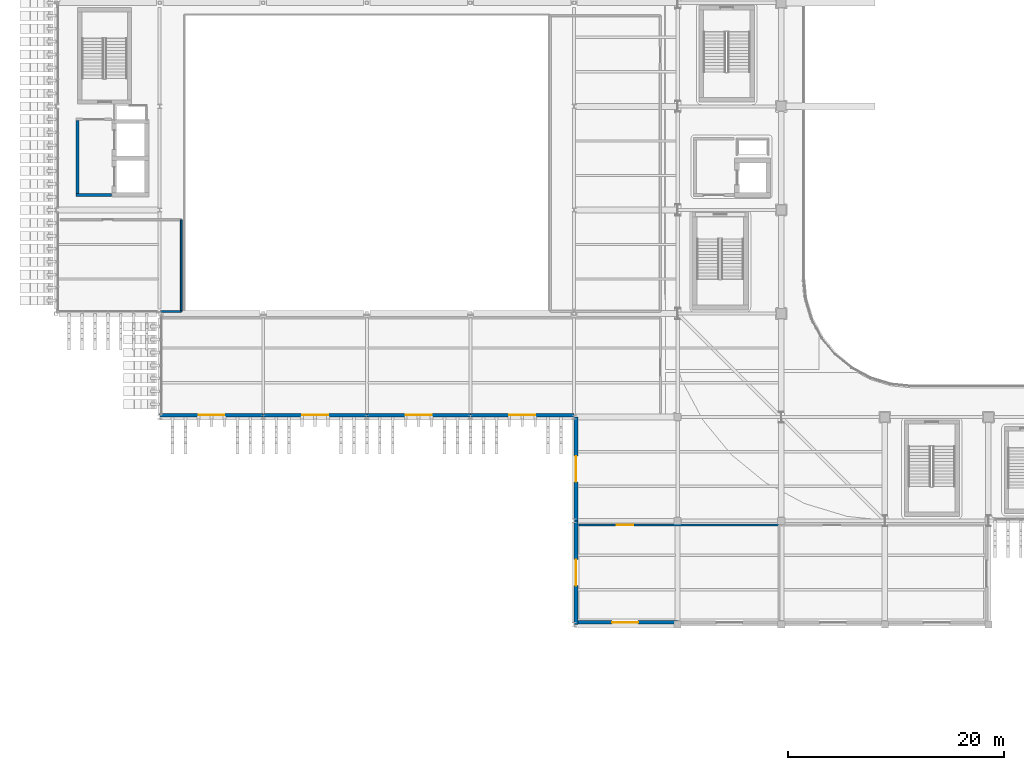
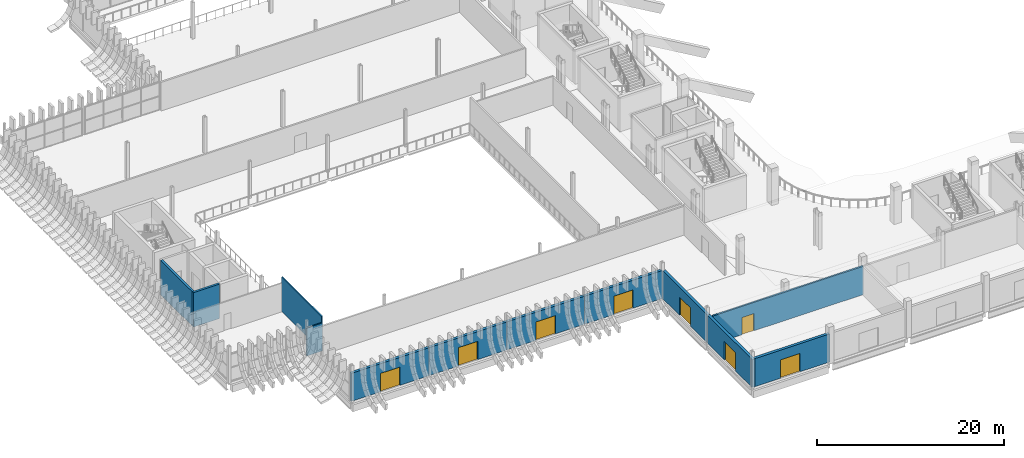
# One storey, part 48 of 100: 12 walls, 8 doors, 8 openings.
"""IFC4 building model written with IfcOpenShell, lengths in metres."""

from ifc_helpers import new_model, si_unit, direction, frame, frame_2d, origin, place, context, subcontext, project, spatial, rectangle, extrude, material, layer, layer_set, type_object, element, fill, save


model = new_model("IFC4")

# Units and contexts
model_context = context("Model", 3, precision=1e-05, world=origin(), true_north=direction((0.0, 1.0)))
body_context = subcontext(model_context, "Body", "Model", "MODEL_VIEW")
ifc_project = project(units=[si_unit("LENGTHUNIT", "METRE"), si_unit("AREAUNIT", "SQUARE_METRE"), si_unit("VOLUMEUNIT", "CUBIC_METRE"), si_unit("PLANEANGLEUNIT", "RADIAN"), si_unit("MASSUNIT", "GRAM", prefix="KILO")], contexts=[model_context])

# Site, building, storey
site_placement = place(None, origin())
site = spatial("IfcSite", under=ifc_project, at=site_placement, CompositionType="ELEMENT")
building_placement = place(site_placement, origin())
building = spatial("IfcBuilding", under=site, at=building_placement, Name="Caelomonte Colonnade Arena", CompositionType="ELEMENT")
storey_placement = place(building_placement, origin())
storey = spatial("IfcBuildingStorey", under=building, at=storey_placement, Name="L00", CompositionType="ELEMENT", Elevation=0.0)

# Wall, opening, door
ifc_material_1 = material(Name="Precast concrete C40/50", Category="concrete")
ifc_layer_1 = layer(ifc_material_1, 0.330078125)
ifc_layer_set_1 = layer_set([ifc_layer_1], Name="Precast concrete C40/50")
wall_type_1 = type_object("IfcWallType", Name="ENV-WL-EXT33", PredefinedType="SOLIDWALL", material=ifc_layer_set_1)
wall_1_placement = place(storey_placement, frame((9.60009765625, 28.97998046875, 0.0), z_axis=(0.0, 0.0, 1.0), x_axis=(1.0, 0.0, 0.0)))
wall_1 = element("IfcWall", 1, at=wall_1_placement, inside=storey, type_object=wall_type_1, Name="L00 exterior wall EW-L00-0110", PredefinedType="SOLIDWALL", context=body_context, shape_type="SweptSolid", body=[
    extrude(rectangle(XDim=9.599853515625, YDim=0.330078125, at=frame_2d((4.7998046875, 0.0))), origin(), (0.0, 0.0, 1.0), 3.664306640625),
])
opening_1_placement = place(wall_1_placement, frame((6.0, 0.0, 0.0), z_axis=(0.0, 0.0, 1.0), x_axis=(-1.0, 0.0, 0.0)))
opening_1 = element("IfcOpeningElement", 2, at=opening_1_placement, cuts=wall_1, Name="Opening G1", PredefinedType="OPENING", context=body_context, shape_type="SweptSolid", body=[
    extrude(rectangle(XDim=2.39990234375, YDim=2.39990234375, at=frame_2d((1.199951171875, 1.199951171875))), frame((0.0, 0.175048828125, 0.0), z_axis=(0.0, -1.0, 0.0), x_axis=(1.0, 0.0, 0.0)), (0.0, 0.0, 1.0), 0.35009765625),
])
ifc_material_2 = material(Name="Painted galvanized hollow metal and glass", Category="glass")
door_type_1 = type_object("IfcDoorType", Name="ENV-DR-G1", OperationType="DOUBLE_DOOR_SINGLE_SWING", PredefinedType="DOOR", material=ifc_material_2)
door_1_placement = place(opening_1_placement, origin())
door_1 = element("IfcDoor", 3, at=door_1_placement, inside=storey, type_object=door_type_1, Name="Pedestrian exit gate G1", OperationType="DOUBLE_DOOR_SINGLE_SWING", OverallHeight=2.39990234375, OverallWidth=2.39990234375, PredefinedType="DOOR", context=body_context, shape_type="SweptSolid", body=[
    extrude(rectangle(XDim=2.39990234375, YDim=2.39990234375, at=frame_2d((1.199951171875, 1.199951171875))), frame((0.0, 0.02490234375, 0.0), z_axis=(0.0, -1.0, 0.0), x_axis=(1.0, 0.0, 0.0)), (0.0, 0.0, 1.0), 0.050048828125),
])
fill(opening_1, door_1)

wall_2_placement = place(storey_placement, frame((19.199951171875, 28.97998046875, 0.0), z_axis=(0.0, 0.0, 1.0), x_axis=(1.0, 0.0, 0.0)))
wall_2 = element("IfcWall", 4, at=wall_2_placement, inside=storey, type_object=wall_type_1, Name="L00 exterior wall EW-L00-0111", PredefinedType="SOLIDWALL", context=body_context, shape_type="SweptSolid", body=[
    extrude(rectangle(XDim=9.60009765625, YDim=0.330078125, at=frame_2d((4.800048828125, 0.0))), origin(), (0.0, 0.0, 1.0), 3.664306640625),
])
opening_2_placement = place(wall_2_placement, frame((6.0, 0.0, 0.0), z_axis=(0.0, 0.0, 1.0), x_axis=(-1.0, 0.0, 0.0)))
opening_2 = element("IfcOpeningElement", 5, at=opening_2_placement, cuts=wall_2, Name="Opening G2", PredefinedType="OPENING", context=body_context, shape_type="SweptSolid", body=[
    extrude(rectangle(XDim=2.39990234375, YDim=2.39990234375, at=frame_2d((1.199951171875, 1.199951171875))), frame((0.0, 0.175048828125, 0.0), z_axis=(0.0, -1.0, 0.0), x_axis=(1.0, 0.0, 0.0)), (0.0, 0.0, 1.0), 0.35009765625),
])
door_2_placement = place(opening_2_placement, origin())
door_2 = element("IfcDoor", 6, at=door_2_placement, inside=storey, type_object=door_type_1, Name="Pedestrian exit gate G2", OperationType="DOUBLE_DOOR_SINGLE_SWING", OverallHeight=2.39990234375, OverallWidth=2.39990234375, PredefinedType="DOOR", context=body_context, shape_type="SweptSolid", body=[
    extrude(rectangle(XDim=2.39990234375, YDim=2.39990234375, at=frame_2d((1.199951171875, 1.199951171875))), frame((0.0, 0.02490234375, 0.0), z_axis=(0.0, -1.0, 0.0), x_axis=(1.0, 0.0, 0.0)), (0.0, 0.0, 1.0), 0.050048828125),
])
fill(opening_2, door_2)

wall_3_placement = place(storey_placement, frame((28.800048828125, 28.97998046875, 0.0), z_axis=(0.0, 0.0, 1.0), x_axis=(1.0, 0.0, 0.0)))
wall_3 = element("IfcWall", 7, at=wall_3_placement, inside=storey, type_object=wall_type_1, Name="L00 exterior wall EW-L00-0112", PredefinedType="SOLIDWALL", context=body_context, shape_type="SweptSolid", body=[
    extrude(rectangle(XDim=9.599853515625, YDim=0.330078125, at=frame_2d((4.7998046875, 0.0))), origin(), (0.0, 0.0, 1.0), 3.664306640625),
])
opening_3_placement = place(wall_3_placement, frame((6.0, 0.0, 0.0), z_axis=(0.0, 0.0, 1.0), x_axis=(-1.0, 0.0, 0.0)))
opening_3 = element("IfcOpeningElement", 8, at=opening_3_placement, cuts=wall_3, Name="Opening G3", PredefinedType="OPENING", context=body_context, shape_type="SweptSolid", body=[
    extrude(rectangle(XDim=2.39990234375, YDim=2.39990234375, at=frame_2d((1.199951171875, 1.199951171875))), frame((0.0, 0.175048828125, 0.0), z_axis=(0.0, -1.0, 0.0), x_axis=(1.0, 0.0, 0.0)), (0.0, 0.0, 1.0), 0.35009765625),
])
door_3_placement = place(opening_3_placement, origin())
door_3 = element("IfcDoor", 9, at=door_3_placement, inside=storey, type_object=door_type_1, Name="Pedestrian exit gate G3", OperationType="DOUBLE_DOOR_SINGLE_SWING", OverallHeight=2.39990234375, OverallWidth=2.39990234375, PredefinedType="DOOR", context=body_context, shape_type="SweptSolid", body=[
    extrude(rectangle(XDim=2.39990234375, YDim=2.39990234375, at=frame_2d((1.199951171875, 1.199951171875))), frame((0.0, 0.02490234375, 0.0), z_axis=(0.0, -1.0, 0.0), x_axis=(1.0, 0.0, 0.0)), (0.0, 0.0, 1.0), 0.050048828125),
])
fill(opening_3, door_3)

wall_4_placement = place(storey_placement, frame((38.39990234375, 28.97998046875, 0.0), z_axis=(0.0, 0.0, 1.0), x_axis=(1.0, 0.0, 0.0)))
wall_4 = element("IfcWall", 10, at=wall_4_placement, inside=storey, type_object=wall_type_1, Name="L00 exterior wall EW-L00-0113", PredefinedType="SOLIDWALL", context=body_context, shape_type="SweptSolid", body=[
    extrude(rectangle(XDim=9.60009765625, YDim=0.330078125, at=frame_2d((4.800048828125, 0.0))), origin(), (0.0, 0.0, 1.0), 3.664306640625),
])
opening_4_placement = place(wall_4_placement, frame((6.0, 0.0, 0.0), z_axis=(0.0, 0.0, 1.0), x_axis=(-1.0, 0.0, 0.0)))
opening_4 = element("IfcOpeningElement", 11, at=opening_4_placement, cuts=wall_4, Name="Opening G4", PredefinedType="OPENING", context=body_context, shape_type="SweptSolid", body=[
    extrude(rectangle(XDim=2.39990234375, YDim=2.39990234375, at=frame_2d((1.199951171875, 1.199951171875))), frame((0.0, 0.175048828125, 0.0), z_axis=(0.0, -1.0, 0.0), x_axis=(1.0, 0.0, 0.0)), (0.0, 0.0, 1.0), 0.35009765625),
])
door_4_placement = place(opening_4_placement, origin())
door_4 = element("IfcDoor", 12, at=door_4_placement, inside=storey, type_object=door_type_1, Name="Pedestrian exit gate G4", OperationType="DOUBLE_DOOR_SINGLE_SWING", OverallHeight=2.39990234375, OverallWidth=2.39990234375, PredefinedType="DOOR", context=body_context, shape_type="SweptSolid", body=[
    extrude(rectangle(XDim=2.39990234375, YDim=2.39990234375, at=frame_2d((1.199951171875, 1.199951171875))), frame((0.0, 0.02490234375, 0.0), z_axis=(0.0, -1.0, 0.0), x_axis=(1.0, 0.0, 0.0)), (0.0, 0.0, 1.0), 0.050048828125),
])
fill(opening_4, door_4)

wall_5_placement = place(storey_placement, frame((48.179931640625, 28.800048828125, 0.0), z_axis=(0.0, 0.0, 1.0), x_axis=(0.0, -1.0, 0.0)))
wall_5 = element("IfcWall", 13, at=wall_5_placement, inside=storey, type_object=wall_type_1, Name="L00 exterior wall EW-L00-0114", PredefinedType="SOLIDWALL", context=body_context, shape_type="SweptSolid", body=[
    extrude(rectangle(XDim=9.60009765625, YDim=0.330078125, at=frame_2d((4.800048828125, 0.0))), origin(), (0.0, 0.0, 1.0), 3.664306640625),
])
opening_5_placement = place(wall_5_placement, frame((6.0, 0.0, 0.0), z_axis=(0.0, 0.0, 1.0), x_axis=(-1.0, 0.0, 0.0)))
opening_5 = element("IfcOpeningElement", 14, at=opening_5_placement, cuts=wall_5, Name="Opening G5", PredefinedType="OPENING", context=body_context, shape_type="SweptSolid", body=[
    extrude(rectangle(XDim=2.39990234375, YDim=2.39990234375, at=frame_2d((1.199951171875, 1.199951171875))), frame((0.0, 0.175048828125, 0.0), z_axis=(0.0, -1.0, 0.0), x_axis=(1.0, 0.0, 0.0)), (0.0, 0.0, 1.0), 0.35009765625),
])
door_5_placement = place(opening_5_placement, origin())
door_5 = element("IfcDoor", 15, at=door_5_placement, inside=storey, type_object=door_type_1, Name="Pedestrian exit gate G5", OperationType="DOUBLE_DOOR_SINGLE_SWING", OverallHeight=2.39990234375, OverallWidth=2.39990234375, PredefinedType="DOOR", context=body_context, shape_type="SweptSolid", body=[
    extrude(rectangle(XDim=2.39990234375, YDim=2.39990234375, at=frame_2d((1.199951171875, 1.199951171875))), frame((0.0, 0.02490234375, 0.0), z_axis=(0.0, -1.0, 0.0), x_axis=(1.0, 0.0, 0.0)), (0.0, 0.0, 1.0), 0.050048828125),
])
fill(opening_5, door_5)

wall_6_placement = place(storey_placement, frame((48.179931640625, 19.199951171875, 0.0), z_axis=(0.0, 0.0, 1.0), x_axis=(0.0, -1.0, 0.0)))
wall_6 = element("IfcWall", 16, at=wall_6_placement, inside=storey, type_object=wall_type_1, Name="L00 exterior wall EW-L00-0115", PredefinedType="SOLIDWALL", context=body_context, shape_type="SweptSolid", body=[
    extrude(rectangle(XDim=9.599853515625, YDim=0.330078125, at=frame_2d((4.7998046875, 0.0))), origin(), (0.0, 0.0, 1.0), 3.664306640625),
])
opening_6_placement = place(wall_6_placement, frame((6.0, 0.0, 0.0), z_axis=(0.0, 0.0, 1.0), x_axis=(-1.0, 0.0, 0.0)))
opening_6 = element("IfcOpeningElement", 17, at=opening_6_placement, cuts=wall_6, Name="Opening G6", PredefinedType="OPENING", context=body_context, shape_type="SweptSolid", body=[
    extrude(rectangle(XDim=2.39990234375, YDim=2.39990234375, at=frame_2d((1.199951171875, 1.199951171875))), frame((0.0, 0.175048828125, 0.0), z_axis=(0.0, -1.0, 0.0), x_axis=(1.0, 0.0, 0.0)), (0.0, 0.0, 1.0), 0.35009765625),
])
door_6_placement = place(opening_6_placement, origin())
door_6 = element("IfcDoor", 18, at=door_6_placement, inside=storey, type_object=door_type_1, Name="Pedestrian exit gate G6", OperationType="DOUBLE_DOOR_SINGLE_SWING", OverallHeight=2.39990234375, OverallWidth=2.39990234375, PredefinedType="DOOR", context=body_context, shape_type="SweptSolid", body=[
    extrude(rectangle(XDim=2.39990234375, YDim=2.39990234375, at=frame_2d((1.199951171875, 1.199951171875))), frame((0.0, 0.02490234375, 0.0), z_axis=(0.0, -1.0, 0.0), x_axis=(1.0, 0.0, 0.0)), (0.0, 0.0, 1.0), 0.050048828125),
])
fill(opening_6, door_6)

wall_7_placement = place(storey_placement, frame((48.0, 9.780029296875, 0.0), z_axis=(0.0, 0.0, 1.0), x_axis=(1.0, 0.0, 0.0)))
wall_7 = element("IfcWall", 19, at=wall_7_placement, inside=storey, type_object=wall_type_1, Name="L00 exterior wall EW-L00-0116", PredefinedType="SOLIDWALL", context=body_context, shape_type="SweptSolid", body=[
    extrude(rectangle(XDim=9.60009765625, YDim=0.330078125, at=frame_2d((4.800048828125, 0.0))), origin(), (0.0, 0.0, 1.0), 3.664306640625),
])
opening_7_placement = place(wall_7_placement, frame((5.928955078125, 0.0, 0.0), z_axis=(0.0, 0.0, 1.0), x_axis=(-1.0, 0.0, 0.0)))
opening_7 = element("IfcOpeningElement", 20, at=opening_7_placement, cuts=wall_7, Name="Opening G7", PredefinedType="OPENING", context=body_context, shape_type="SweptSolid", body=[
    extrude(rectangle(XDim=2.39990234375, YDim=2.39990234375, at=frame_2d((1.199951171875, 1.199951171875))), frame((0.0, 0.175048828125, 0.0), z_axis=(0.0, -1.0, 0.0), x_axis=(1.0, 0.0, 0.0)), (0.0, 0.0, 1.0), 0.35009765625),
])
door_7_placement = place(opening_7_placement, origin())
door_7 = element("IfcDoor", 21, at=door_7_placement, inside=storey, type_object=door_type_1, Name="Pedestrian exit gate G7", OperationType="DOUBLE_DOOR_SINGLE_SWING", OverallHeight=2.39990234375, OverallWidth=2.39990234375, PredefinedType="DOOR", context=body_context, shape_type="SweptSolid", body=[
    extrude(rectangle(XDim=2.39990234375, YDim=2.39990234375, at=frame_2d((1.199951171875, 1.199951171875))), frame((0.0, 0.02490234375, 0.0), z_axis=(0.0, -1.0, 0.0), x_axis=(1.0, 0.0, 0.0)), (0.0, 0.0, 1.0), 0.050048828125),
])
fill(opening_7, door_7)

# Walls
ifc_material_3 = material(Name="Concrete C40/50", Category="concrete")
ifc_layer_2 = layer(ifc_material_3, 0.260009765625)
ifc_layer_set_2 = layer_set([ifc_layer_2], Name="Concrete C40/50")
wall_type_2 = type_object("IfcWallType", Name="INT-WL-FW26", PredefinedType="SOLIDWALL", material=ifc_layer_set_2)
wall_8_placement = place(storey_placement, frame((1.8701171875, 49.39990234375, 0.0), z_axis=(0.0, 0.0, 1.0), x_axis=(1.0, 0.0, 0.0)))
element("IfcWall", 22, at=wall_8_placement, inside=storey, type_object=wall_type_2, Name="FW-C8-LB L00 south enclosure wall", PredefinedType="SOLIDWALL", context=body_context, shape_type="SweptSolid", body=[
    extrude(rectangle(XDim=3.259765625, YDim=0.260009765625, at=frame_2d((1.6298828125, 0.0))), origin(), (0.0, 0.0, 1.0), 4.5),
])
wall_9_placement = place(storey_placement, frame((2.0, 56.27001953125, 0.0), z_axis=(0.0, 0.0, 1.0), x_axis=(0.0, -1.0, 0.0)))
element("IfcWall", 23, at=wall_9_placement, inside=storey, type_object=wall_type_2, Name="FW-C8-LB L00 west enclosure wall", PredefinedType="SOLIDWALL", context=body_context, shape_type="SweptSolid", body=[
    extrude(rectangle(XDim=6.739990234375, YDim=0.260009765625, at=frame_2d((3.3701171875, 0.0))), origin(), (0.0, 0.0, 1.0), 4.5),
])
ifc_material_4 = material(Name="Moisture-resistant WC partition")
ifc_layer_3 = layer(ifc_material_4, 0.159912109375)
ifc_layer_set_3 = layer_set([ifc_layer_3], Name="Moisture-resistant WC partition")
wall_type_3 = type_object("IfcWallType", Name="INT-WL-PT16", PredefinedType="PARTITIONING", material=ifc_layer_set_3)
wall_10_placement = place(storey_placement, frame((11.60009765625, 47.10009765625, 0.0), z_axis=(0.0, 0.0, 1.0), x_axis=(0.0, -1.0, 0.0)))
element("IfcWall", 24, at=wall_10_placement, inside=storey, type_object=wall_type_3, Name="L00 Practice Wing Restroom partition 112", PredefinedType="PARTITIONING", context=body_context, shape_type="SweptSolid", body=[
    extrude(rectangle(XDim=8.5, YDim=0.159912109375, at=frame_2d((4.25, 0.0))), origin(), (0.0, 0.0, 1.0), 4.5),
])
wall_11_placement = place(storey_placement, frame((11.60009765625, 38.60009765625, 0.0), z_axis=(0.0, 0.0, 1.0), x_axis=(-1.0, 0.0, 0.0)))
element("IfcWall", 25, at=wall_11_placement, inside=storey, type_object=wall_type_3, Name="L00 Practice Wing Restroom partition 113", PredefinedType="PARTITIONING", context=body_context, shape_type="SweptSolid", body=[
    extrude(rectangle(XDim=1.908935546875, YDim=0.159912109375, at=frame_2d((0.95458984375, 0.0))), origin(), (0.0, 0.0, 1.0), 3.664306640625),
])

# Wall, opening, door
ifc_material_5 = material(Name="Fire-rated gypsum stud partition")
ifc_layer_4 = layer(ifc_material_5, 0.199951171875)
ifc_layer_set_4 = layer_set([ifc_layer_4], Name="Fire-rated gypsum stud partition")
wall_type_4 = type_object("IfcWallType", Name="INT-WL-PT20", PredefinedType="PARTITIONING", material=ifc_layer_set_4)
wall_12_placement = place(storey_placement, frame((48.39990234375, 18.800048828125, 0.0), z_axis=(0.0, 0.0, 1.0), x_axis=(1.0, 0.0, 0.0)))
wall_12 = element("IfcWall", 26, at=wall_12_placement, inside=storey, type_object=wall_type_4, Name="L00 Arena Cafe partition 93", PredefinedType="PARTITIONING", context=body_context, shape_type="SweptSolid", body=[
    extrude(rectangle(XDim=18.60009765625, YDim=0.199951171875, at=frame_2d((9.300048828125, 0.0))), origin(), (0.0, 0.0, 1.0), 3.699951171875),
])
opening_8_placement = place(wall_12_placement, frame((3.57763671875, 0.0, 0.0), z_axis=(0.0, 0.0, 1.0), x_axis=(1.0, 0.0, 0.0)))
opening_8 = element("IfcOpeningElement", 27, at=opening_8_placement, cuts=wall_12, Name="Opening D-L00-029", PredefinedType="OPENING", context=body_context, shape_type="SweptSolid", body=[
    extrude(rectangle(XDim=1.5, YDim=2.25, at=frame_2d((0.75, 1.125))), frame((0.0, 0.10986328125, 0.0), z_axis=(0.0, -1.0, 0.0), x_axis=(1.0, 0.0, 0.0)), (0.0, 0.0, 1.0), 0.219970703125),
])
ifc_material_6 = material(Name="Hardwood double club lounge door", Category="wood")
door_type_2 = type_object("IfcDoorType", Name="INT-DR-SU2", OperationType="DOUBLE_DOOR_SINGLE_SWING", PredefinedType="DOOR", material=ifc_material_6)
door_8_placement = place(opening_8_placement, origin())
door_8 = element("IfcDoor", 28, at=door_8_placement, inside=storey, type_object=door_type_2, Name="L00 Arena Cafe door D-L00-029", OperationType="DOUBLE_DOOR_SINGLE_SWING", OverallHeight=2.25, OverallWidth=1.5, PredefinedType="DOOR", context=body_context, shape_type="SweptSolid", body=[
    extrude(rectangle(XDim=1.5, YDim=2.25, at=frame_2d((0.75, 1.125))), frame((0.0, 0.02490234375, 0.0), z_axis=(0.0, -1.0, 0.0), x_axis=(1.0, 0.0, 0.0)), (0.0, 0.0, 1.0), 0.050048828125),
])
fill(opening_8, door_8)

save(model, "model.ifc")
